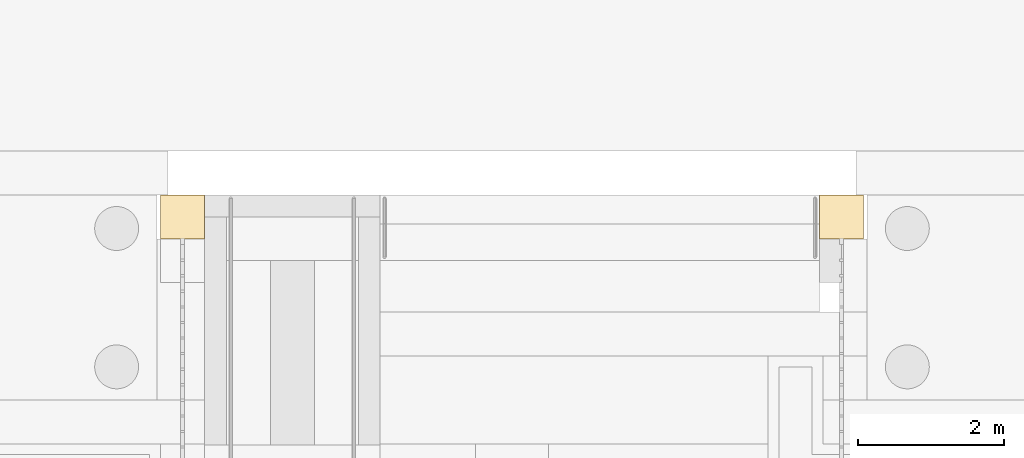
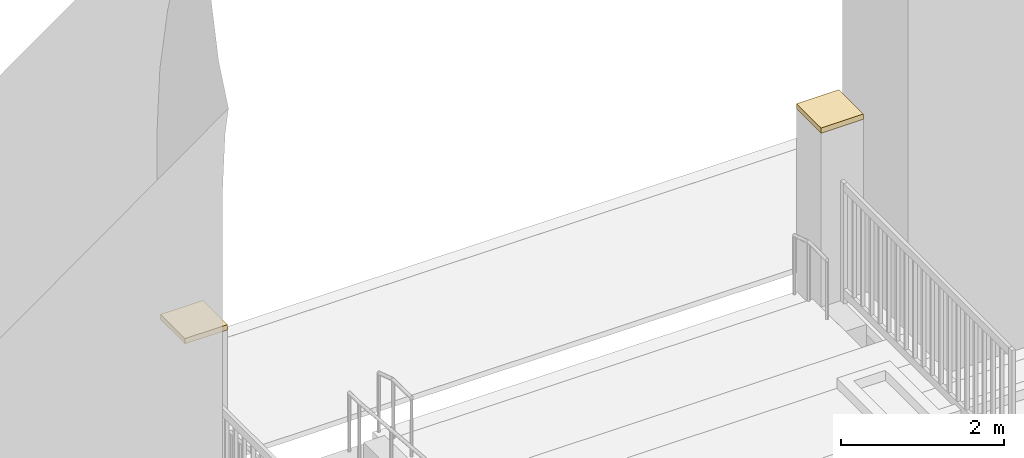
# One storey, part 230 of 250: 2 coverings.
"""IFC4 building model written with IfcOpenShell, lengths in metres."""

from ifc_helpers import new_model, si_unit, direction, frame, origin, place, context, subcontext, project, spatial, polyline, outline, extrude, material, layer, layer_set, type_object, element, save


model = new_model("IFC4")

# Units and contexts
model_context = context("Model", 3, precision=1e-05, world=origin(), true_north=direction((0.0, 1.0)))
body_context = subcontext(model_context, "Body", "Model", "MODEL_VIEW")
ifc_project = project(units=[si_unit("LENGTHUNIT", "METRE"), si_unit("AREAUNIT", "SQUARE_METRE"), si_unit("VOLUMEUNIT", "CUBIC_METRE"), si_unit("PLANEANGLEUNIT", "RADIAN"), si_unit("MASSUNIT", "GRAM", prefix="KILO")], contexts=[model_context])

# Site, building, storey
site_placement = place(None, origin())
site = spatial("IfcSite", under=ifc_project, at=site_placement, CompositionType="ELEMENT")
building_placement = place(site_placement, origin())
building = spatial("IfcBuilding", under=site, at=building_placement, Name="Baradari Gate Terminus", CompositionType="ELEMENT")
storey_placement = place(building_placement, origin())
storey = spatial("IfcBuildingStorey", under=building, at=storey_placement, Name="L00", CompositionType="ELEMENT", Elevation=0.0)

# Coverings
ifc_material = material(Name="Sandstone", Category="masonry")
ifc_layer = layer(ifc_material, 0.080078125)
ifc_layer_set = layer_set([ifc_layer], Name="Sandstone")
covering_type = type_object("IfcCoveringType", Name="Stone coping CG-1 80", PredefinedType="CLADDING", material=ifc_layer_set)
covering_1_placement = place(storey_placement, frame((0.0, 0.0, 2.60009765625)))
element("IfcCovering", 1, at=covering_1_placement, inside=storey, type_object=covering_type, Name="Stone coping gate pier GN1 a", PredefinedType="CLADDING", context=body_context, shape_type="SweptSolid", body=[
    extrude(outline(polyline([(148.800048828125, 149.39990234375), (148.800048828125, 150.0), (148.199951171875, 150.0), (148.199951171875, 149.39990234375), (148.800048828125, 149.39990234375)])), origin(), (0.0, 0.0, 1.0), 0.079833984375),
])
covering_2_placement = place(storey_placement, frame((0.0, 0.0, 2.60009765625)))
element("IfcCovering", 2, at=covering_2_placement, inside=storey, type_object=covering_type, Name="Stone coping gate pier GN1 b", PredefinedType="CLADDING", context=body_context, shape_type="SweptSolid", body=[
    extrude(outline(polyline([(157.800048828125, 149.39990234375), (157.800048828125, 150.0), (157.199951171875, 150.0), (157.199951171875, 149.39990234375), (157.800048828125, 149.39990234375)])), origin(), (0.0, 0.0, 1.0), 0.079833984375),
])

save(model, "model.ifc")
